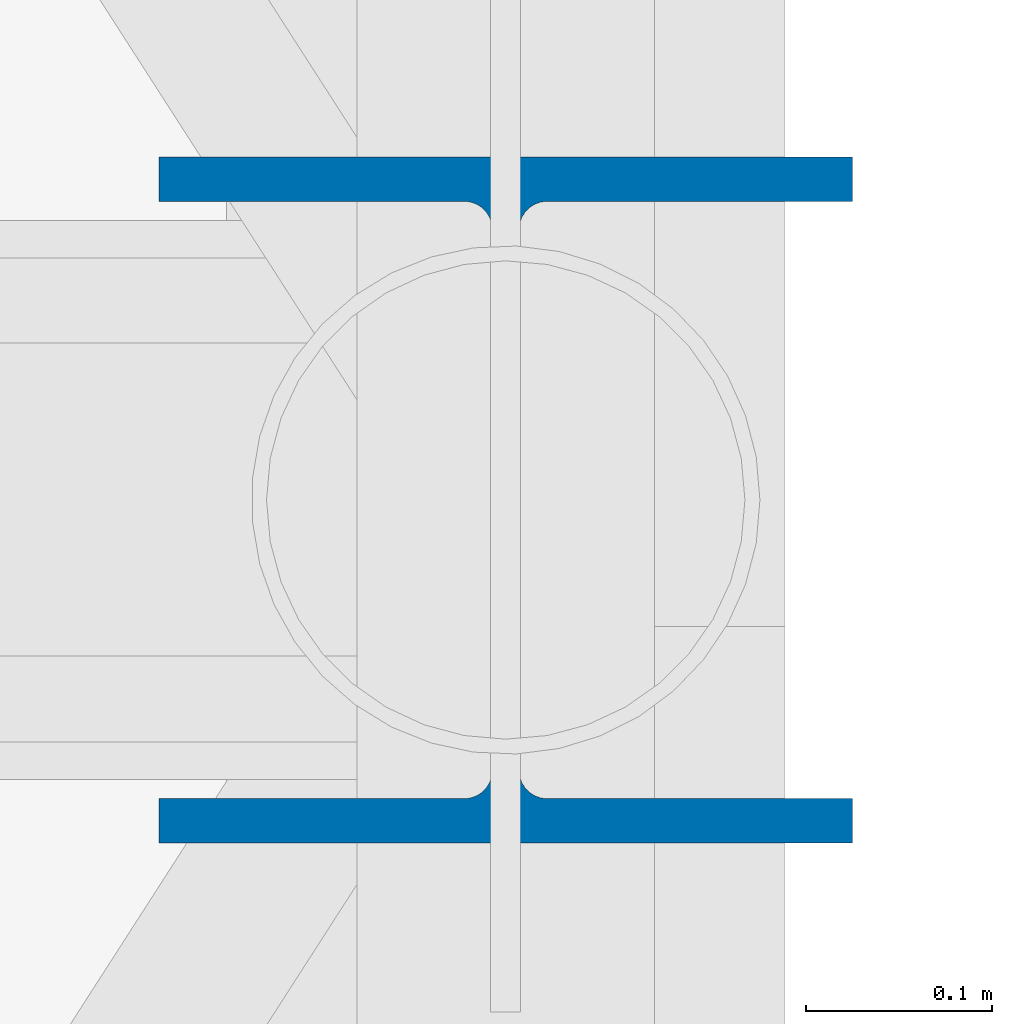
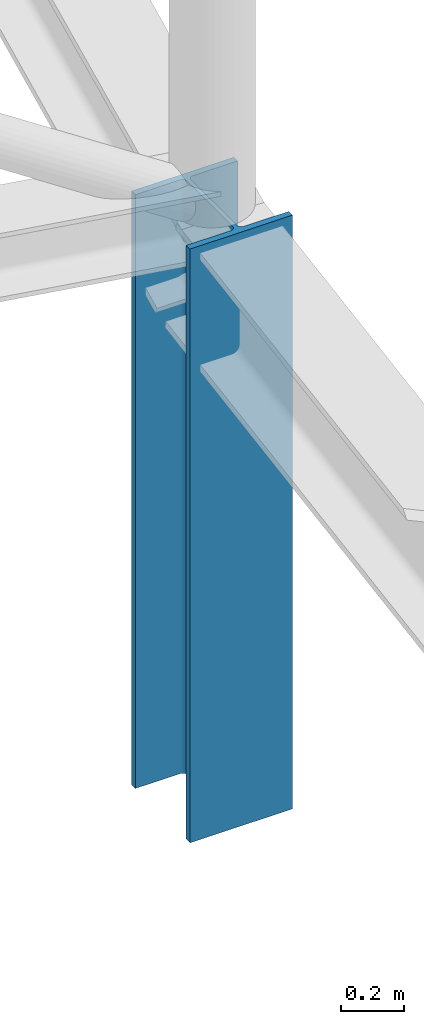
# One storey, part 10 of 262: 1 column.
"""IFC4 building model written with IfcOpenShell, lengths in metres."""

from ifc_helpers import new_model, si_unit, derived_unit, direction, frame, origin, origin_2d, place, context, subcontext, project, spatial, i_section, extrude, material, material_profile, profile_set, type_object, element, save


model = new_model("IFC4")

# Units and contexts
model_context = context("Model", 3, precision=1e-05, world=origin(), true_north=direction((0.0, 1.0)))
body_context = subcontext(model_context, "Body", "Model", "MODEL_VIEW")
ifc_project = project(units=[si_unit("LENGTHUNIT", "METRE"), si_unit("AREAUNIT", "SQUARE_METRE"), si_unit("VOLUMEUNIT", "CUBIC_METRE"), si_unit("PLANEANGLEUNIT", "RADIAN"), si_unit("MASSUNIT", "GRAM", prefix="KILO"), derived_unit("THERMALTRANSMITTANCEUNIT", [(si_unit("POWERUNIT", "WATT"), 1), (si_unit("LENGTHUNIT", "METRE"), -2), (si_unit("THERMODYNAMICTEMPERATUREUNIT", "KELVIN"), -1)])], contexts=[model_context])

# Site, building, storey
site_placement = place(None, origin())
site = spatial("IfcSite", under=ifc_project, at=site_placement, CompositionType="ELEMENT")
building_placement = place(site_placement, origin())
building = spatial("IfcBuilding", under=site, at=building_placement, Name="Almenara Railside Exhibition Hall", CompositionType="ELEMENT")
storey_placement = place(building_placement, frame((0.0, 0.0, 21.699951171875)))
storey = spatial("IfcBuildingStorey", under=building, at=storey_placement, Name="RF", CompositionType="ELEMENT", Elevation=21.699951171875)

# Column
ifc_material = material(Name="Structural steel S355JR", Category="steel")
ifc_material_profile = material_profile(ifc_material, i_section(OverallWidth=0.37255859375, OverallDepth=0.3681640625, WebThickness=0.014404296875, FlangeThickness=0.023681640625, FilletRadius=0.01513671875, at=origin_2d()), Name="UC 356x368x177")
ifc_profile_set = profile_set([ifc_material_profile], Name="Structural steel S355JR")
column_type = type_object("IfcColumnType", Name="Steel Column UC 356x368x177 S355JR", PredefinedType="COLUMN", material=ifc_profile_set)
column_placement = place(storey_placement, frame((192.0, 118.0, -9.599853515625), z_axis=(0.0, 0.0, 1.0), x_axis=(1.0, 0.0, 0.0)))
element("IfcColumn", 1, at=column_placement, inside=storey, type_object=column_type, Name="V2 scroll portal column 7", PredefinedType="COLUMN", context=body_context, shape_type="SweptSolid", body=[
    extrude(i_section(OverallWidth=0.37255859375, OverallDepth=0.3681640625, WebThickness=0.014404296875, FlangeThickness=0.023681640625, FilletRadius=0.01513671875, at=origin_2d()), origin(), (0.0, 0.0, 1.0), 2.283447265625),
])

save(model, "model.ifc")
